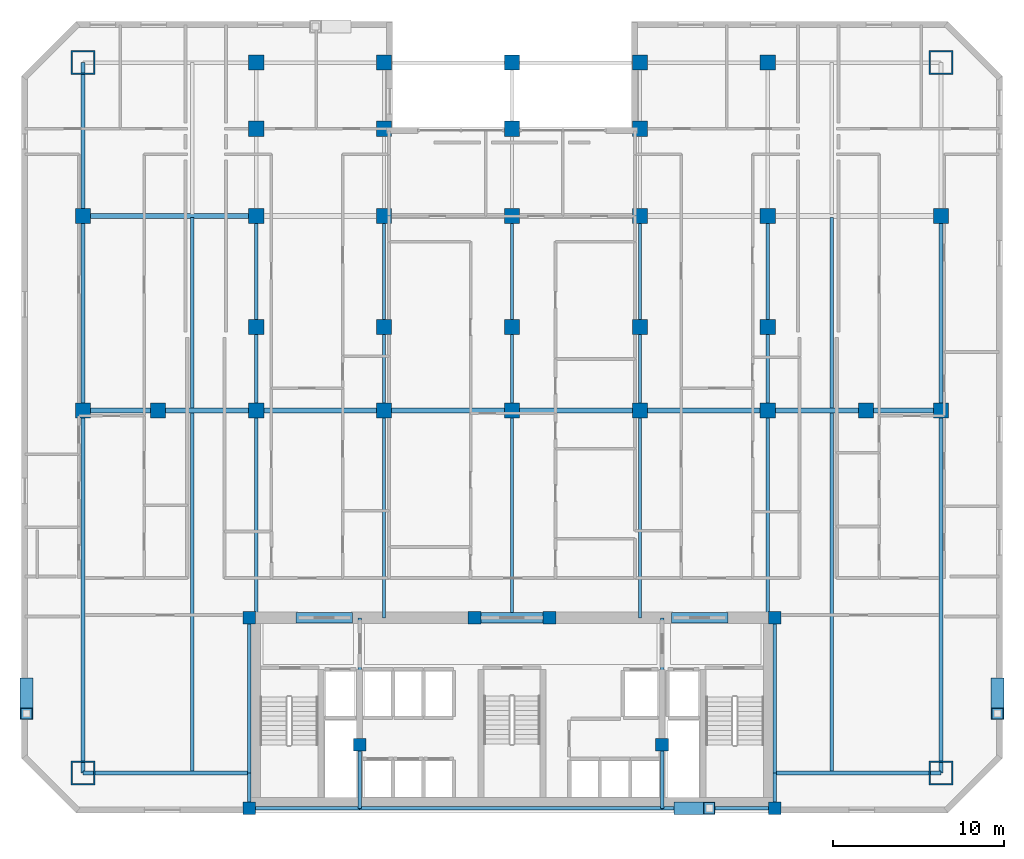
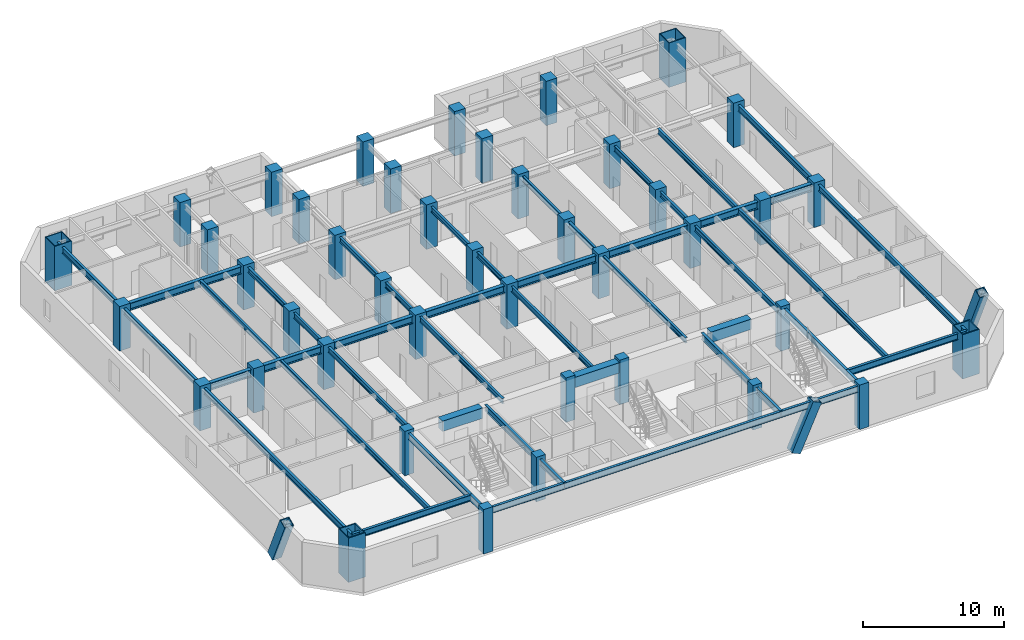
# One storey, part 1 of 14: 44 beams, 42 columns, 3 members.
"""IFC4 building model written with IfcOpenShell, lengths in metres."""

from ifc_helpers import new_model, si_unit, direction, frame, origin, origin_2d, place, context, subcontext, project, spatial, rectangle, hollow_rectangle, i_section, extrude, material, material_profile, profile_set, type_object, element, save


model = new_model("IFC4")

# Units and contexts
model_context = context("Model", 3, precision=1e-05, world=origin(), true_north=direction((0.0, 1.0)))
body_context = subcontext(model_context, "Body", "Model", "MODEL_VIEW")
ifc_project = project(units=[si_unit("LENGTHUNIT", "METRE"), si_unit("AREAUNIT", "SQUARE_METRE"), si_unit("VOLUMEUNIT", "CUBIC_METRE"), si_unit("PLANEANGLEUNIT", "RADIAN"), si_unit("MASSUNIT", "GRAM", prefix="KILO")], contexts=[model_context])

# Site, building, storey
site_placement = place(None, origin())
site = spatial("IfcSite", under=ifc_project, at=site_placement, CompositionType="ELEMENT")
building_placement = place(site_placement, origin())
building = spatial("IfcBuilding", under=site, at=building_placement, Name="Ventersveld Concourse Tower", CompositionType="ELEMENT")
storey_placement = place(building_placement, frame((0.0, 0.0, 81.050048828125)))
storey = spatial("IfcBuildingStorey", under=building, at=storey_placement, Name="L19", CompositionType="ELEMENT", Elevation=81.050048828125)

# Columns
ifc_material_1 = material(Name="Concrete C50/60", Category="concrete")
ifc_material_profile_1 = material_profile(ifc_material_1, rectangle(XDim=0.75, YDim=0.75, at=origin_2d()), Name="RC 750x750")
ifc_profile_set_1 = profile_set([ifc_material_profile_1], Name="Concrete C50/60")
column_type_1 = type_object("IfcColumnType", Name="COL-RC750", PredefinedType="COLUMN", material=ifc_profile_set_1)
for number, where, z_axis, x_axis, name in (
    (1, (13.35009765625, 0.280029296875, 0.0), (0.0, 0.0, 1.0), (1.0, 0.0, 0.0), "L19 Core Spine Column CC-SW"),
    (2, (44.14990234375, 0.280029296875, 0.0), (0.0, 0.0, 1.0), (1.0, 0.0, 0.0), "L19 Core Spine Column CC-SE"),
    (3, (13.35009765625, 11.449951171875, 0.0), (0.0, 0.0, 1.0), (1.0, 0.0, 0.0), "L19 Core Spine Column CC-NW"),
    (4, (44.14990234375, 11.449951171875, 0.0), (0.0, 0.0, 1.0), (1.0, 0.0, 0.0), "L19 Core Spine Column CC-NE"),
    (5, (19.820068359375, 4.0, 0.0), (0.0, 0.0, 1.0), (1.0, 0.0, 0.0), "L19 Core Spine Column CM-1"),
    (6, (37.550048828125, 4.0, 0.0), (0.0, 0.0, 1.0), (1.0, 0.0, 0.0), "L19 Core Spine Column CM-2"),
    (7, (26.550048828125, 11.449951171875, 0.0), (0.0, 0.0, 1.0), (1.0, 0.0, 0.0), "L19 Core Spine Column CM-3"),
    (8, (30.949951171875, 11.449951171875, 0.0), (0.0, 0.0, 1.0), (1.0, 0.0, 0.0), "L19 Core Spine Column CM-4"),
):
    element("IfcColumn", number, at=place(storey_placement, frame(where, z_axis=z_axis, x_axis=x_axis)), inside=storey, type_object=column_type_1, Name=name, PredefinedType="COLUMN", context=body_context, shape_type="SweptSolid", body=[
        extrude(rectangle(XDim=0.75, YDim=0.75, at=origin_2d()), origin(), (0.0, 0.0, 1.0), 3.849853515625),
    ])
ifc_material_2 = material(Name="Concrete C60/75", Category="concrete")
ifc_material_profile_2 = material_profile(ifc_material_2, rectangle(XDim=0.89990234375, YDim=0.89990234375, at=origin_2d()), Name="RC 900x900")
ifc_profile_set_2 = profile_set([ifc_material_profile_2], Name="Concrete C60/75")
column_type_2 = type_object("IfcColumnType", Name="COL-RC900", PredefinedType="COLUMN", material=ifc_profile_set_2)
for number, where, z_axis, x_axis, name in (
    (9, (3.60009765625, 23.60009765625, 0.0), (0.0, 0.0, 1.0), (1.0, 0.0, 0.0), "L19 Interior Gravity Column X=3.60 Y=23.60"),
    (10, (8.0, 23.60009765625, 0.0), (0.0, 0.0, 1.0), (1.0, 0.0, 0.0), "L19 Interior Gravity Column X=8.00 Y=23.60"),
    (11, (13.75, 23.60009765625, 0.0), (0.0, 0.0, 1.0), (1.0, 0.0, 0.0), "L19 Interior Gravity Column X=13.75 Y=23.60"),
    (12, (21.25, 23.60009765625, 0.0), (0.0, 0.0, 1.0), (1.0, 0.0, 0.0), "L19 Interior Gravity Column X=21.25 Y=23.60"),
    (13, (28.75, 23.60009765625, 0.0), (0.0, 0.0, 1.0), (1.0, 0.0, 0.0), "L19 Interior Gravity Column X=28.75 Y=23.60"),
    (14, (36.25, 23.60009765625, 0.0), (0.0, 0.0, 1.0), (1.0, 0.0, 0.0), "L19 Interior Gravity Column X=36.25 Y=23.60"),
    (15, (43.75, 23.60009765625, 0.0), (0.0, 0.0, 1.0), (1.0, 0.0, 0.0), "L19 Interior Gravity Column X=43.75 Y=23.60"),
    (16, (49.5, 23.60009765625, 0.0), (0.0, 0.0, 1.0), (1.0, 0.0, 0.0), "L19 Interior Gravity Column X=49.50 Y=23.60"),
    (17, (53.89990234375, 23.60009765625, 0.0), (0.0, 0.0, 1.0), (1.0, 0.0, 0.0), "L19 Interior Gravity Column X=53.90 Y=23.60"),
    (18, (13.75, 28.5, 0.0), (0.0, 0.0, 1.0), (1.0, 0.0, 0.0), "L19 Upper-North Gravity Column X=13.75 Y=28.50"),
    (19, (21.25, 28.5, 0.0), (0.0, 0.0, 1.0), (1.0, 0.0, 0.0), "L19 Upper-North Gravity Column X=21.25 Y=28.50"),
    (20, (28.75, 28.5, 0.0), (0.0, 0.0, 1.0), (1.0, 0.0, 0.0), "L19 Upper-North Gravity Column X=28.75 Y=28.50"),
    (21, (36.25, 28.5, 0.0), (0.0, 0.0, 1.0), (1.0, 0.0, 0.0), "L19 Upper-North Gravity Column X=36.25 Y=28.50"),
    (22, (43.75, 28.5, 0.0), (0.0, 0.0, 1.0), (1.0, 0.0, 0.0), "L19 Upper-North Gravity Column X=43.75 Y=28.50"),
    (23, (3.60009765625, 35.0, 0.0), (0.0, 0.0, 1.0), (1.0, 0.0, 0.0), "L19 Flank Column X=3.60 Y=35.00"),
    (24, (53.89990234375, 35.0, 0.0), (0.0, 0.0, 1.0), (1.0, 0.0, 0.0), "L19 Flank Column X=53.90 Y=35.00"),
    (25, (13.75, 44.0, 0.0), (0.0, 0.0, 1.0), (1.0, 0.0, 0.0), "L19 North Perimeter Column X=13.75 Y=44.00"),
    (26, (21.25, 44.0, 0.0), (0.0, 0.0, 1.0), (1.0, 0.0, 0.0), "L19 North Perimeter Column X=21.25 Y=44.00"),
    (27, (28.75, 44.0, 0.0), (0.0, 0.0, 1.0), (1.0, 0.0, 0.0), "L19 North Perimeter Column X=28.75 Y=44.00"),
    (28, (36.25, 44.0, 0.0), (0.0, 0.0, 1.0), (1.0, 0.0, 0.0), "L19 North Perimeter Column X=36.25 Y=44.00"),
    (29, (43.75, 44.0, 0.0), (0.0, 0.0, 1.0), (1.0, 0.0, 0.0), "L19 North Perimeter Column X=43.75 Y=44.00"),
    (30, (13.75, 40.1201171875, 0.0), (0.0, 0.0, 1.0), (1.0, 0.0, 0.0), "L19 North Brace Node Column X=13.75 Y=40.12"),
    (31, (21.25, 40.1201171875, 0.0), (0.0, 0.0, 1.0), (1.0, 0.0, 0.0), "L19 North Brace Node Column X=21.25 Y=40.12"),
    (32, (28.75, 40.1201171875, 0.0), (0.0, 0.0, 1.0), (1.0, 0.0, 0.0), "L19 North Brace Node Column X=28.75 Y=40.12"),
    (33, (36.25, 40.1201171875, 0.0), (0.0, 0.0, 1.0), (1.0, 0.0, 0.0), "L19 North Brace Node Column X=36.25 Y=40.12"),
    (34, (13.75, 35.0, 0.0), (0.0, 0.0, 1.0), (1.0, 0.0, 0.0), "L19 Mid-North Column X=13.75 Y=35.00"),
    (35, (21.25, 35.0, 0.0), (0.0, 0.0, 1.0), (1.0, 0.0, 0.0), "L19 Mid-North Column X=21.25 Y=35.00"),
    (36, (28.75, 35.0, 0.0), (0.0, 0.0, 1.0), (1.0, 0.0, 0.0), "L19 Mid-North Column X=28.75 Y=35.00"),
    (37, (36.25, 35.0, 0.0), (0.0, 0.0, 1.0), (1.0, 0.0, 0.0), "L19 Mid-North Column X=36.25 Y=35.00"),
    (38, (43.75, 35.0, 0.0), (0.0, 0.0, 1.0), (1.0, 0.0, 0.0), "L19 Mid-North Column X=43.75 Y=35.00"),
):
    element("IfcColumn", number, at=place(storey_placement, frame(where, z_axis=z_axis, x_axis=x_axis)), inside=storey, type_object=column_type_2, Name=name, PredefinedType="COLUMN", context=body_context, shape_type="SweptSolid", body=[
        extrude(rectangle(XDim=0.89990234375, YDim=0.89990234375, at=origin_2d()), origin(), (0.0, 0.0, 1.0), 3.849853515625),
    ])
ifc_material_3 = material(Name="Structural steel S460ML", Category="steel")
ifc_material_profile_3 = material_profile(ifc_material_3, hollow_rectangle(XDim=1.39990234375, YDim=1.39990234375, WallThickness=0.080078125, at=origin_2d()), Name="BOX 1400x1400x80")
ifc_profile_set_3 = profile_set([ifc_material_profile_3], Name="Structural steel S460ML")
column_type_3 = type_object("IfcColumnType", Name="MC-1400", PredefinedType="USERDEFINED", material=ifc_profile_set_3)
for number, where, z_axis, x_axis, name in (
    (39, (3.60009765625, 2.35009765625, 0.0), (0.0, 0.0, 1.0), (1.0, 0.0, 0.0), "L19 Corner Mega-Column MC-SW"),
    (40, (53.89990234375, 2.35009765625, 0.0), (0.0, 0.0, 1.0), (1.0, 0.0, 0.0), "L19 Corner Mega-Column MC-SE"),
    (41, (53.89990234375, 44.0, 0.0), (0.0, 0.0, 1.0), (1.0, 0.0, 0.0), "L19 Corner Mega-Column MC-NE"),
    (42, (3.60009765625, 44.0, 0.0), (0.0, 0.0, 1.0), (1.0, 0.0, 0.0), "L19 Corner Mega-Column MC-NW"),
):
    element("IfcColumn", number, at=place(storey_placement, frame(where, z_axis=z_axis, x_axis=x_axis)), inside=storey, type_object=column_type_3, Name=name, ObjectType="MEGA_COLUMN", PredefinedType="USERDEFINED", context=body_context, shape_type="SweptSolid", body=[
        extrude(hollow_rectangle(XDim=1.39990234375, YDim=1.39990234375, WallThickness=0.080078125, at=origin_2d()), origin(), (0.0, 0.0, 1.0), 3.849853515625),
    ])

# Beams
ifc_material_4 = material(Name="Structural steel S355J2", Category="steel")
ifc_material_profile_4 = material_profile(ifc_material_4, i_section(OverallWidth=0.19140625, OverallDepth=0.4599609375, WebThickness=0.010009765625, FlangeThickness=0.01611328125, FilletRadius=0.01025390625, at=origin_2d()), Name="UB 457x191x82")
ifc_profile_set_4 = profile_set([ifc_material_profile_4], Name="Structural steel S355J2")
beam_type_1 = type_object("IfcBeamType", Name="BM-UB457H", PredefinedType="BEAM", material=ifc_profile_set_4)
beam_1_placement = place(storey_placement, frame((10.0, 2.35009765625, 3.369873046875), z_axis=(0.0, 1.0, 0.0), x_axis=(-1.0, 0.0, 0.0)))
element("IfcBeam", 43, at=beam_1_placement, inside=storey, type_object=beam_type_1, Name="L19 N-S Composite Floor Beam South X=10.00", PredefinedType="BEAM", context=body_context, shape_type="SweptSolid", body=[
    extrude(i_section(OverallWidth=0.19140625, OverallDepth=0.4599609375, WebThickness=0.010009765625, FlangeThickness=0.01611328125, FilletRadius=0.01025390625, at=origin_2d()), origin(), (0.0, 0.0, 1.0), 21.15478515625),
])
beam_2_placement = place(storey_placement, frame((10.0, 23.695068359375, 3.369873046875), z_axis=(0.0, 1.0, 0.0), x_axis=(-1.0, 0.0, 0.0)))
element("IfcBeam", 44, at=beam_2_placement, inside=storey, type_object=beam_type_1, Name="L19 N-S Composite Floor Beam Mid X=10.00", PredefinedType="BEAM", context=body_context, shape_type="SweptSolid", body=[
    extrude(i_section(OverallWidth=0.19140625, OverallDepth=0.4599609375, WebThickness=0.010009765625, FlangeThickness=0.01611328125, FilletRadius=0.01025390625, at=origin_2d()), origin(), (0.0, 0.0, 1.0), 11.2099609375),
])
beam_3_placement = place(storey_placement, frame((13.75, 11.449951171875, 3.369873046875), z_axis=(0.0, 1.0, 0.0), x_axis=(-1.0, 0.0, 0.0)))
element("IfcBeam", 45, at=beam_3_placement, inside=storey, type_object=beam_type_1, Name="L19 N-S Composite Floor Beam South X=13.75", PredefinedType="BEAM", context=body_context, shape_type="SweptSolid", body=[
    extrude(i_section(OverallWidth=0.19140625, OverallDepth=0.4599609375, WebThickness=0.010009765625, FlangeThickness=0.01611328125, FilletRadius=0.01025390625, at=origin_2d()), origin(), (0.0, 0.0, 1.0), 12.150146484375),
])
beam_4_placement = place(storey_placement, frame((13.75, 23.60009765625, 3.369873046875), z_axis=(0.0, 1.0, 0.0), x_axis=(-1.0, 0.0, 0.0)))
element("IfcBeam", 46, at=beam_4_placement, inside=storey, type_object=beam_type_1, Name="L19 N-S Composite Floor Beam Mid X=13.75", PredefinedType="BEAM", context=body_context, shape_type="SweptSolid", body=[
    extrude(i_section(OverallWidth=0.19140625, OverallDepth=0.4599609375, WebThickness=0.010009765625, FlangeThickness=0.01611328125, FilletRadius=0.01025390625, at=origin_2d()), origin(), (0.0, 0.0, 1.0), 11.39990234375),
])
beam_5_placement = place(storey_placement, frame((21.25, 11.449951171875, 3.369873046875), z_axis=(0.0, 1.0, 0.0), x_axis=(-1.0, 0.0, 0.0)))
element("IfcBeam", 47, at=beam_5_placement, inside=storey, type_object=beam_type_1, Name="L19 N-S Composite Floor Beam South X=21.25", PredefinedType="BEAM", context=body_context, shape_type="SweptSolid", body=[
    extrude(i_section(OverallWidth=0.19140625, OverallDepth=0.4599609375, WebThickness=0.010009765625, FlangeThickness=0.01611328125, FilletRadius=0.01025390625, at=origin_2d()), origin(), (0.0, 0.0, 1.0), 12.150146484375),
])
beam_6_placement = place(storey_placement, frame((21.25, 23.60009765625, 3.369873046875), z_axis=(0.0, 1.0, 0.0), x_axis=(-1.0, 0.0, 0.0)))
element("IfcBeam", 48, at=beam_6_placement, inside=storey, type_object=beam_type_1, Name="L19 N-S Composite Floor Beam Mid X=21.25", PredefinedType="BEAM", context=body_context, shape_type="SweptSolid", body=[
    extrude(i_section(OverallWidth=0.19140625, OverallDepth=0.4599609375, WebThickness=0.010009765625, FlangeThickness=0.01611328125, FilletRadius=0.01025390625, at=origin_2d()), origin(), (0.0, 0.0, 1.0), 11.39990234375),
])
beam_7_placement = place(storey_placement, frame((28.75, 11.449951171875, 3.369873046875), z_axis=(0.0, 1.0, 0.0), x_axis=(-1.0, 0.0, 0.0)))
element("IfcBeam", 49, at=beam_7_placement, inside=storey, type_object=beam_type_1, Name="L19 N-S Composite Floor Beam South X=28.75", PredefinedType="BEAM", context=body_context, shape_type="SweptSolid", body=[
    extrude(i_section(OverallWidth=0.19140625, OverallDepth=0.4599609375, WebThickness=0.010009765625, FlangeThickness=0.01611328125, FilletRadius=0.01025390625, at=origin_2d()), origin(), (0.0, 0.0, 1.0), 12.150146484375),
])
beam_8_placement = place(storey_placement, frame((28.75, 23.60009765625, 3.369873046875), z_axis=(0.0, 1.0, 0.0), x_axis=(-1.0, 0.0, 0.0)))
element("IfcBeam", 50, at=beam_8_placement, inside=storey, type_object=beam_type_1, Name="L19 N-S Composite Floor Beam Mid X=28.75", PredefinedType="BEAM", context=body_context, shape_type="SweptSolid", body=[
    extrude(i_section(OverallWidth=0.19140625, OverallDepth=0.4599609375, WebThickness=0.010009765625, FlangeThickness=0.01611328125, FilletRadius=0.01025390625, at=origin_2d()), origin(), (0.0, 0.0, 1.0), 11.39990234375),
])
beam_9_placement = place(storey_placement, frame((36.25, 11.449951171875, 3.369873046875), z_axis=(0.0, 1.0, 0.0), x_axis=(-1.0, 0.0, 0.0)))
element("IfcBeam", 51, at=beam_9_placement, inside=storey, type_object=beam_type_1, Name="L19 N-S Composite Floor Beam South X=36.25", PredefinedType="BEAM", context=body_context, shape_type="SweptSolid", body=[
    extrude(i_section(OverallWidth=0.19140625, OverallDepth=0.4599609375, WebThickness=0.010009765625, FlangeThickness=0.01611328125, FilletRadius=0.01025390625, at=origin_2d()), origin(), (0.0, 0.0, 1.0), 12.150146484375),
])
beam_10_placement = place(storey_placement, frame((36.25, 23.60009765625, 3.369873046875), z_axis=(0.0, 1.0, 0.0), x_axis=(-1.0, 0.0, 0.0)))
element("IfcBeam", 52, at=beam_10_placement, inside=storey, type_object=beam_type_1, Name="L19 N-S Composite Floor Beam Mid X=36.25", PredefinedType="BEAM", context=body_context, shape_type="SweptSolid", body=[
    extrude(i_section(OverallWidth=0.19140625, OverallDepth=0.4599609375, WebThickness=0.010009765625, FlangeThickness=0.01611328125, FilletRadius=0.01025390625, at=origin_2d()), origin(), (0.0, 0.0, 1.0), 11.39990234375),
])
beam_11_placement = place(storey_placement, frame((43.75, 11.449951171875, 3.369873046875), z_axis=(0.0, 1.0, 0.0), x_axis=(-1.0, 0.0, 0.0)))
element("IfcBeam", 53, at=beam_11_placement, inside=storey, type_object=beam_type_1, Name="L19 N-S Composite Floor Beam South X=43.75", PredefinedType="BEAM", context=body_context, shape_type="SweptSolid", body=[
    extrude(i_section(OverallWidth=0.19140625, OverallDepth=0.4599609375, WebThickness=0.010009765625, FlangeThickness=0.01611328125, FilletRadius=0.01025390625, at=origin_2d()), origin(), (0.0, 0.0, 1.0), 12.150146484375),
])
beam_12_placement = place(storey_placement, frame((43.75, 23.60009765625, 3.369873046875), z_axis=(0.0, 1.0, 0.0), x_axis=(-1.0, 0.0, 0.0)))
element("IfcBeam", 54, at=beam_12_placement, inside=storey, type_object=beam_type_1, Name="L19 N-S Composite Floor Beam Mid X=43.75", PredefinedType="BEAM", context=body_context, shape_type="SweptSolid", body=[
    extrude(i_section(OverallWidth=0.19140625, OverallDepth=0.4599609375, WebThickness=0.010009765625, FlangeThickness=0.01611328125, FilletRadius=0.01025390625, at=origin_2d()), origin(), (0.0, 0.0, 1.0), 11.39990234375),
])
beam_13_placement = place(storey_placement, frame((47.5, 2.35009765625, 3.369873046875), z_axis=(0.0, 1.0, 0.0), x_axis=(-1.0, 0.0, 0.0)))
element("IfcBeam", 55, at=beam_13_placement, inside=storey, type_object=beam_type_1, Name="L19 N-S Composite Floor Beam South X=47.50", PredefinedType="BEAM", context=body_context, shape_type="SweptSolid", body=[
    extrude(i_section(OverallWidth=0.19140625, OverallDepth=0.4599609375, WebThickness=0.010009765625, FlangeThickness=0.01611328125, FilletRadius=0.01025390625, at=origin_2d()), origin(), (0.0, 0.0, 1.0), 21.15478515625),
])
beam_14_placement = place(storey_placement, frame((47.5, 23.695068359375, 3.369873046875), z_axis=(0.0, 1.0, 0.0), x_axis=(-1.0, 0.0, 0.0)))
element("IfcBeam", 56, at=beam_14_placement, inside=storey, type_object=beam_type_1, Name="L19 N-S Composite Floor Beam Mid X=47.50", PredefinedType="BEAM", context=body_context, shape_type="SweptSolid", body=[
    extrude(i_section(OverallWidth=0.19140625, OverallDepth=0.4599609375, WebThickness=0.010009765625, FlangeThickness=0.01611328125, FilletRadius=0.01025390625, at=origin_2d()), origin(), (0.0, 0.0, 1.0), 11.2099609375),
])
ifc_material_profile_5 = material_profile(ifc_material_2, rectangle(XDim=0.60009765625, YDim=0.89990234375, at=origin_2d()), Name="RC 600x900")
ifc_profile_set_5 = profile_set([ifc_material_profile_5], Name="Concrete C60/75")
beam_type_2 = type_object("IfcBeamType", Name="CB-RC600x900L", PredefinedType="LINTEL", material=ifc_profile_set_5)
beam_15_placement = place(storey_placement, frame((16.10009765625, 11.449951171875, 3.14990234375), z_axis=(1.0, 0.0, 0.0), x_axis=(0.0, 1.0, 0.0)))
element("IfcBeam", 57, at=beam_15_placement, inside=storey, type_object=beam_type_2, Name="L19 Core Coupling Lintel Beam 1", PredefinedType="LINTEL", context=body_context, shape_type="SweptSolid", body=[
    extrude(rectangle(XDim=0.60009765625, YDim=0.89990234375, at=origin_2d()), origin(), (0.0, 0.0, 1.0), 3.2998046875),
])
beam_16_placement = place(storey_placement, frame((26.5, 11.449951171875, 3.14990234375), z_axis=(1.0, 0.0, 0.0), x_axis=(0.0, 1.0, 0.0)))
element("IfcBeam", 58, at=beam_16_placement, inside=storey, type_object=beam_type_2, Name="L19 Core Coupling Lintel Beam 2", PredefinedType="LINTEL", context=body_context, shape_type="SweptSolid", body=[
    extrude(rectangle(XDim=0.60009765625, YDim=0.89990234375, at=origin_2d()), origin(), (0.0, 0.0, 1.0), 4.5),
])
beam_17_placement = place(storey_placement, frame((38.10009765625, 11.449951171875, 3.14990234375), z_axis=(1.0, 0.0, 0.0), x_axis=(0.0, 1.0, 0.0)))
element("IfcBeam", 59, at=beam_17_placement, inside=storey, type_object=beam_type_2, Name="L19 Core Coupling Lintel Beam 3", PredefinedType="LINTEL", context=body_context, shape_type="SweptSolid", body=[
    extrude(rectangle(XDim=0.60009765625, YDim=0.89990234375, at=origin_2d()), origin(), (0.0, 0.0, 1.0), 3.2998046875),
])
ifc_material_profile_6 = material_profile(ifc_material_4, i_section(OverallWidth=0.2119140625, OverallDepth=0.54443359375, WebThickness=0.0126953125, FlangeThickness=0.021240234375, FilletRadius=0.0126953125, at=origin_2d()), Name="UB 533x210x122")
ifc_profile_set_6 = profile_set([ifc_material_profile_6], Name="Structural steel S355J2")
beam_type_3 = type_object("IfcBeamType", Name="GRD-UB533H", PredefinedType="T_BEAM", material=ifc_profile_set_6)
beam_18_placement = place(storey_placement, frame((13.35009765625, 0.280029296875, 3.32763671875), z_axis=(0.0, 1.0, 0.0), x_axis=(-1.0, 0.0, 0.0)))
element("IfcBeam", 60, at=beam_18_placement, inside=storey, type_object=beam_type_3, Name="L19 Core West Tie Beam S", PredefinedType="T_BEAM", context=body_context, shape_type="SweptSolid", body=[
    extrude(i_section(OverallWidth=0.2119140625, OverallDepth=0.54443359375, WebThickness=0.0126953125, FlangeThickness=0.021240234375, FilletRadius=0.0126953125, at=origin_2d()), origin(), (0.0, 0.0, 1.0), 2.070068359375),
])
beam_19_placement = place(storey_placement, frame((13.35009765625, 2.35009765625, 3.32763671875), z_axis=(0.0, 1.0, 0.0), x_axis=(-1.0, 0.0, 0.0)))
element("IfcBeam", 61, at=beam_19_placement, inside=storey, type_object=beam_type_3, Name="L19 Core West Tie Beam N", PredefinedType="T_BEAM", context=body_context, shape_type="SweptSolid", body=[
    extrude(i_section(OverallWidth=0.2119140625, OverallDepth=0.54443359375, WebThickness=0.0126953125, FlangeThickness=0.021240234375, FilletRadius=0.0126953125, at=origin_2d()), origin(), (0.0, 0.0, 1.0), 9.099853515625),
])
beam_20_placement = place(storey_placement, frame((44.14990234375, 0.280029296875, 3.32763671875), z_axis=(0.0, 1.0, 0.0), x_axis=(-1.0, 0.0, 0.0)))
element("IfcBeam", 62, at=beam_20_placement, inside=storey, type_object=beam_type_3, Name="L19 Core East Tie Beam S", PredefinedType="T_BEAM", context=body_context, shape_type="SweptSolid", body=[
    extrude(i_section(OverallWidth=0.2119140625, OverallDepth=0.54443359375, WebThickness=0.0126953125, FlangeThickness=0.021240234375, FilletRadius=0.0126953125, at=origin_2d()), origin(), (0.0, 0.0, 1.0), 2.070068359375),
])
beam_21_placement = place(storey_placement, frame((44.14990234375, 2.35009765625, 3.32763671875), z_axis=(0.0, 1.0, 0.0), x_axis=(-1.0, 0.0, 0.0)))
element("IfcBeam", 63, at=beam_21_placement, inside=storey, type_object=beam_type_3, Name="L19 Core East Tie Beam N", PredefinedType="T_BEAM", context=body_context, shape_type="SweptSolid", body=[
    extrude(i_section(OverallWidth=0.2119140625, OverallDepth=0.54443359375, WebThickness=0.0126953125, FlangeThickness=0.021240234375, FilletRadius=0.0126953125, at=origin_2d()), origin(), (0.0, 0.0, 1.0), 9.099853515625),
])
beam_22_placement = place(storey_placement, frame((13.35009765625, 0.280029296875, 3.32763671875), z_axis=(1.0, 0.0, 0.0), x_axis=(0.0, 1.0, 0.0)))
element("IfcBeam", 64, at=beam_22_placement, inside=storey, type_object=beam_type_3, Name="L19 Core South Tie Beam W", PredefinedType="T_BEAM", context=body_context, shape_type="SweptSolid", body=[
    extrude(i_section(OverallWidth=0.2119140625, OverallDepth=0.54443359375, WebThickness=0.0126953125, FlangeThickness=0.021240234375, FilletRadius=0.0126953125, at=origin_2d()), origin(), (0.0, 0.0, 1.0), 6.469970703125),
])
beam_23_placement = place(storey_placement, frame((19.820068359375, 0.280029296875, 3.32763671875), z_axis=(1.0, 0.0, 0.0), x_axis=(0.0, 1.0, 0.0)))
element("IfcBeam", 65, at=beam_23_placement, inside=storey, type_object=beam_type_3, Name="L19 Core South Tie Beam C", PredefinedType="T_BEAM", context=body_context, shape_type="SweptSolid", body=[
    extrude(i_section(OverallWidth=0.2119140625, OverallDepth=0.54443359375, WebThickness=0.0126953125, FlangeThickness=0.021240234375, FilletRadius=0.0126953125, at=origin_2d()), origin(), (0.0, 0.0, 1.0), 17.72998046875),
])
beam_24_placement = place(storey_placement, frame((37.550048828125, 0.280029296875, 3.32763671875), z_axis=(1.0, 0.0, 0.0), x_axis=(0.0, 1.0, 0.0)))
element("IfcBeam", 66, at=beam_24_placement, inside=storey, type_object=beam_type_3, Name="L19 Core South Tie Beam E", PredefinedType="T_BEAM", context=body_context, shape_type="SweptSolid", body=[
    extrude(i_section(OverallWidth=0.2119140625, OverallDepth=0.54443359375, WebThickness=0.0126953125, FlangeThickness=0.021240234375, FilletRadius=0.0126953125, at=origin_2d()), origin(), (0.0, 0.0, 1.0), 6.599853515625),
])
beam_25_placement = place(storey_placement, frame((19.820068359375, 0.280029296875, 3.32763671875), z_axis=(0.0, 1.0, 0.0), x_axis=(-1.0, 0.0, 0.0)))
element("IfcBeam", 67, at=beam_25_placement, inside=storey, type_object=beam_type_3, Name="L19 Core Spine N-S Tie Beam W1", PredefinedType="T_BEAM", context=body_context, shape_type="SweptSolid", body=[
    extrude(i_section(OverallWidth=0.2119140625, OverallDepth=0.54443359375, WebThickness=0.0126953125, FlangeThickness=0.021240234375, FilletRadius=0.0126953125, at=origin_2d()), origin(), (0.0, 0.0, 1.0), 3.719970703125),
])
beam_26_placement = place(storey_placement, frame((19.820068359375, 4.0, 3.32763671875), z_axis=(0.0, 1.0, 0.0), x_axis=(-1.0, 0.0, 0.0)))
element("IfcBeam", 68, at=beam_26_placement, inside=storey, type_object=beam_type_3, Name="L19 Core Spine N-S Tie Beam W2", PredefinedType="T_BEAM", context=body_context, shape_type="SweptSolid", body=[
    extrude(i_section(OverallWidth=0.2119140625, OverallDepth=0.54443359375, WebThickness=0.0126953125, FlangeThickness=0.021240234375, FilletRadius=0.0126953125, at=origin_2d()), origin(), (0.0, 0.0, 1.0), 7.449951171875),
])
beam_27_placement = place(storey_placement, frame((37.550048828125, 0.280029296875, 3.32763671875), z_axis=(0.0, 1.0, 0.0), x_axis=(-1.0, 0.0, 0.0)))
element("IfcBeam", 69, at=beam_27_placement, inside=storey, type_object=beam_type_3, Name="L19 Core Spine N-S Tie Beam E1", PredefinedType="T_BEAM", context=body_context, shape_type="SweptSolid", body=[
    extrude(i_section(OverallWidth=0.2119140625, OverallDepth=0.54443359375, WebThickness=0.0126953125, FlangeThickness=0.021240234375, FilletRadius=0.0126953125, at=origin_2d()), origin(), (0.0, 0.0, 1.0), 3.719970703125),
])
beam_28_placement = place(storey_placement, frame((37.550048828125, 4.0, 3.32763671875), z_axis=(0.0, 1.0, 0.0), x_axis=(-1.0, 0.0, 0.0)))
element("IfcBeam", 70, at=beam_28_placement, inside=storey, type_object=beam_type_3, Name="L19 Core Spine N-S Tie Beam E2", PredefinedType="T_BEAM", context=body_context, shape_type="SweptSolid", body=[
    extrude(i_section(OverallWidth=0.2119140625, OverallDepth=0.54443359375, WebThickness=0.0126953125, FlangeThickness=0.021240234375, FilletRadius=0.0126953125, at=origin_2d()), origin(), (0.0, 0.0, 1.0), 7.449951171875),
])
ifc_material_profile_7 = material_profile(ifc_material_4, i_section(OverallWidth=0.311279296875, OverallDepth=0.6357421875, WebThickness=0.018310546875, FlangeThickness=0.031494140625, FilletRadius=0.0166015625, at=origin_2d()), Name="UB 610x305x238")
ifc_profile_set_7 = profile_set([ifc_material_profile_7], Name="Structural steel S355J2")
beam_type_4 = type_object("IfcBeamType", Name="GRD-UB610H", PredefinedType="USERDEFINED", material=ifc_profile_set_7)
beam_29_placement = place(storey_placement, frame((3.60009765625, 23.60009765625, 3.281982421875), z_axis=(1.0, 0.0, 0.0), x_axis=(0.0, 1.0, 0.0)))
element("IfcBeam", 71, at=beam_29_placement, inside=storey, type_object=beam_type_4, Name="L19 Primary E-W Grid Girder Y=23.60 #1", ObjectType="GIRDER", PredefinedType="USERDEFINED", context=body_context, shape_type="SweptSolid", body=[
    extrude(i_section(OverallWidth=0.311279296875, OverallDepth=0.6357421875, WebThickness=0.018310546875, FlangeThickness=0.031494140625, FilletRadius=0.0166015625, at=origin_2d()), origin(), (0.0, 0.0, 1.0), 4.39990234375),
])
beam_30_placement = place(storey_placement, frame((8.0, 23.60009765625, 3.281982421875), z_axis=(1.0, 0.0, 0.0), x_axis=(0.0, 1.0, 0.0)))
element("IfcBeam", 72, at=beam_30_placement, inside=storey, type_object=beam_type_4, Name="L19 Primary E-W Grid Girder Y=23.60 #2", ObjectType="GIRDER", PredefinedType="USERDEFINED", context=body_context, shape_type="SweptSolid", body=[
    extrude(i_section(OverallWidth=0.311279296875, OverallDepth=0.6357421875, WebThickness=0.018310546875, FlangeThickness=0.031494140625, FilletRadius=0.0166015625, at=origin_2d()), origin(), (0.0, 0.0, 1.0), 5.75),
])
for number, where, z_axis, x_axis, name in (
    (73, (13.75, 23.60009765625, 3.281982421875), (1.0, 0.0, 0.0), (0.0, 1.0, 0.0), "L19 Primary E-W Grid Girder Y=23.60 #3"),
    (74, (21.25, 23.60009765625, 3.281982421875), (1.0, 0.0, 0.0), (0.0, 1.0, 0.0), "L19 Primary E-W Grid Girder Y=23.60 #4"),
    (75, (28.75, 23.60009765625, 3.281982421875), (1.0, 0.0, 0.0), (0.0, 1.0, 0.0), "L19 Primary E-W Grid Girder Y=23.60 #5"),
    (76, (36.25, 23.60009765625, 3.281982421875), (1.0, 0.0, 0.0), (0.0, 1.0, 0.0), "L19 Primary E-W Grid Girder Y=23.60 #6"),
):
    element("IfcBeam", number, at=place(storey_placement, frame(where, z_axis=z_axis, x_axis=x_axis)), inside=storey, type_object=beam_type_4, Name=name, ObjectType="GIRDER", PredefinedType="USERDEFINED", context=body_context, shape_type="SweptSolid", body=[
        extrude(i_section(OverallWidth=0.311279296875, OverallDepth=0.6357421875, WebThickness=0.018310546875, FlangeThickness=0.031494140625, FilletRadius=0.0166015625, at=origin_2d()), origin(), (0.0, 0.0, 1.0), 7.5),
    ])
beam_31_placement = place(storey_placement, frame((43.75, 23.60009765625, 3.281982421875), z_axis=(1.0, 0.0, 0.0), x_axis=(0.0, 1.0, 0.0)))
element("IfcBeam", 77, at=beam_31_placement, inside=storey, type_object=beam_type_4, Name="L19 Primary E-W Grid Girder Y=23.60 #7", ObjectType="GIRDER", PredefinedType="USERDEFINED", context=body_context, shape_type="SweptSolid", body=[
    extrude(i_section(OverallWidth=0.311279296875, OverallDepth=0.6357421875, WebThickness=0.018310546875, FlangeThickness=0.031494140625, FilletRadius=0.0166015625, at=origin_2d()), origin(), (0.0, 0.0, 1.0), 5.75),
])
beam_32_placement = place(storey_placement, frame((49.5, 23.60009765625, 3.281982421875), z_axis=(1.0, 0.0, 0.0), x_axis=(0.0, 1.0, 0.0)))
element("IfcBeam", 78, at=beam_32_placement, inside=storey, type_object=beam_type_4, Name="L19 Primary E-W Grid Girder Y=23.60 #8", ObjectType="GIRDER", PredefinedType="USERDEFINED", context=body_context, shape_type="SweptSolid", body=[
    extrude(i_section(OverallWidth=0.311279296875, OverallDepth=0.6357421875, WebThickness=0.018310546875, FlangeThickness=0.031494140625, FilletRadius=0.0166015625, at=origin_2d()), origin(), (0.0, 0.0, 1.0), 4.39990234375),
])
beam_33_placement = place(storey_placement, frame((3.60009765625, 35.0, 3.281982421875), z_axis=(1.0, 0.0, 0.0), x_axis=(0.0, 1.0, 0.0)))
element("IfcBeam", 79, at=beam_33_placement, inside=storey, type_object=beam_type_4, Name="L19 E-W Grid Girder Y=35.00 #1", ObjectType="GIRDER", PredefinedType="USERDEFINED", context=body_context, shape_type="SweptSolid", body=[
    extrude(i_section(OverallWidth=0.311279296875, OverallDepth=0.6357421875, WebThickness=0.018310546875, FlangeThickness=0.031494140625, FilletRadius=0.0166015625, at=origin_2d()), origin(), (0.0, 0.0, 1.0), 10.14990234375),
])

# Members
ifc_material_5 = material(Name="Structural steel S355ML", Category="steel")
ifc_material_profile_8 = material_profile(ifc_material_5, hollow_rectangle(XDim=0.75, YDim=0.75, WallThickness=0.044921875, at=origin_2d()), Name="BOX 750x750x45")
ifc_profile_set_8 = profile_set([ifc_material_profile_8], Name="Structural steel S355ML")
member_type = type_object("IfcMemberType", Name="MB-750x750", PredefinedType="BRACE", material=ifc_profile_set_8)
for number, where, z_axis, x_axis, name in (
    (80, (38.58154296875, 0.280029296875, -0.25), (0.411755490853, 0.0, 0.911294362844), (0.0, 1.0, 0.0), "L19 Exterior Mega-Brace S (Module M04)"),
    (81, (0.280029296875, 7.568359375, -0.25), (0.0, -0.411755490853, 0.911294362844), (1.0, 0.0, 0.0), "L19 Exterior Mega-Brace W (Module M04)"),
    (82, (57.219970703125, 7.568359375, -0.25), (0.0, -0.411755490853, 0.911294362844), (1.0, 0.0, 0.0), "L19 Exterior Mega-Brace E (Module M04)"),
):
    element("IfcMember", number, at=place(storey_placement, frame(where, z_axis=z_axis, x_axis=x_axis)), inside=storey, type_object=member_type, Name=name, PredefinedType="BRACE", context=body_context, shape_type="SweptSolid", body=[
        extrude(hollow_rectangle(XDim=0.75, YDim=0.75, WallThickness=0.044921875, at=origin_2d()), origin(), (0.0, 0.0, 1.0), 4.224609375),
    ])

# Beams
ifc_material_profile_9 = material_profile(ifc_material_4, i_section(OverallWidth=0.2119140625, OverallDepth=0.54443359375, WebThickness=0.0126953125, FlangeThickness=0.021240234375, FilletRadius=0.0126953125, at=origin_2d()), Name="UB 533x210x122")
ifc_profile_set_9 = profile_set([ifc_material_profile_9], Name="Structural steel S355J2")
beam_type_5 = type_object("IfcBeamType", Name="SPD-UB533", PredefinedType="SPANDREL", material=ifc_profile_set_9)
for number, where, z_axis, x_axis, name in (
    (83, (3.60009765625, 2.35009765625, 3.32763671875), (1.0, 0.0, 0.0), (0.0, 1.0, 0.0), "L19 SW Spandrel Beam"),
    (84, (44.14990234375, 2.35009765625, 3.32763671875), (1.0, 0.0, 0.0), (0.0, 1.0, 0.0), "L19 SE Spandrel Beam"),
):
    element("IfcBeam", number, at=place(storey_placement, frame(where, z_axis=z_axis, x_axis=x_axis)), inside=storey, type_object=beam_type_5, Name=name, PredefinedType="SPANDREL", context=body_context, shape_type="SweptSolid", body=[
        extrude(i_section(OverallWidth=0.2119140625, OverallDepth=0.54443359375, WebThickness=0.0126953125, FlangeThickness=0.021240234375, FilletRadius=0.0126953125, at=origin_2d()), origin(), (0.0, 0.0, 1.0), 9.75),
    ])
beam_34_placement = place(storey_placement, frame((3.60009765625, 2.35009765625, 3.32763671875), z_axis=(0.0, 1.0, 0.0), x_axis=(-1.0, 0.0, 0.0)))
element("IfcBeam", 85, at=beam_34_placement, inside=storey, type_object=beam_type_5, Name="L19 West Spandrel Beam S", PredefinedType="SPANDREL", context=body_context, shape_type="SweptSolid", body=[
    extrude(i_section(OverallWidth=0.2119140625, OverallDepth=0.54443359375, WebThickness=0.0126953125, FlangeThickness=0.021240234375, FilletRadius=0.0126953125, at=origin_2d()), origin(), (0.0, 0.0, 1.0), 21.25),
])
beam_35_placement = place(storey_placement, frame((3.60009765625, 23.60009765625, 3.32763671875), z_axis=(0.0, 1.0, 0.0), x_axis=(-1.0, 0.0, 0.0)))
element("IfcBeam", 86, at=beam_35_placement, inside=storey, type_object=beam_type_5, Name="L19 West Spandrel Beam M", PredefinedType="SPANDREL", context=body_context, shape_type="SweptSolid", body=[
    extrude(i_section(OverallWidth=0.2119140625, OverallDepth=0.54443359375, WebThickness=0.0126953125, FlangeThickness=0.021240234375, FilletRadius=0.0126953125, at=origin_2d()), origin(), (0.0, 0.0, 1.0), 11.39990234375),
])
beam_36_placement = place(storey_placement, frame((3.60009765625, 35.0, 3.32763671875), z_axis=(0.0, 1.0, 0.0), x_axis=(-1.0, 0.0, 0.0)))
element("IfcBeam", 87, at=beam_36_placement, inside=storey, type_object=beam_type_5, Name="L19 West Spandrel Beam N", PredefinedType="SPANDREL", context=body_context, shape_type="SweptSolid", body=[
    extrude(i_section(OverallWidth=0.2119140625, OverallDepth=0.54443359375, WebThickness=0.0126953125, FlangeThickness=0.021240234375, FilletRadius=0.0126953125, at=origin_2d()), origin(), (0.0, 0.0, 1.0), 9.0),
])
beam_37_placement = place(storey_placement, frame((53.89990234375, 2.35009765625, 3.32763671875), z_axis=(0.0, 1.0, 0.0), x_axis=(-1.0, 0.0, 0.0)))
element("IfcBeam", 88, at=beam_37_placement, inside=storey, type_object=beam_type_5, Name="L19 East Spandrel Beam S", PredefinedType="SPANDREL", context=body_context, shape_type="SweptSolid", body=[
    extrude(i_section(OverallWidth=0.2119140625, OverallDepth=0.54443359375, WebThickness=0.0126953125, FlangeThickness=0.021240234375, FilletRadius=0.0126953125, at=origin_2d()), origin(), (0.0, 0.0, 1.0), 21.25),
])
beam_38_placement = place(storey_placement, frame((53.89990234375, 23.60009765625, 3.32763671875), z_axis=(0.0, 1.0, 0.0), x_axis=(-1.0, 0.0, 0.0)))
element("IfcBeam", 89, at=beam_38_placement, inside=storey, type_object=beam_type_5, Name="L19 East Spandrel Beam M", PredefinedType="SPANDREL", context=body_context, shape_type="SweptSolid", body=[
    extrude(i_section(OverallWidth=0.2119140625, OverallDepth=0.54443359375, WebThickness=0.0126953125, FlangeThickness=0.021240234375, FilletRadius=0.0126953125, at=origin_2d()), origin(), (0.0, 0.0, 1.0), 11.39990234375),
])

save(model, "model.ifc")
